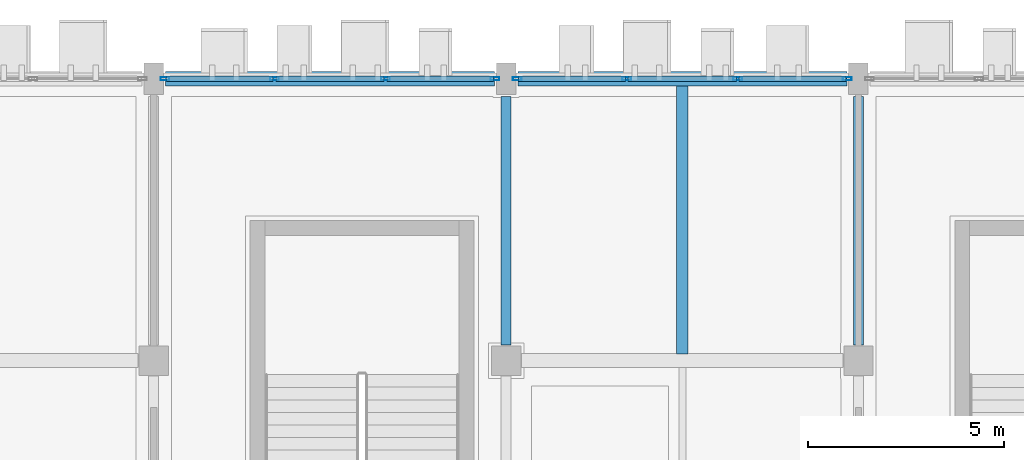
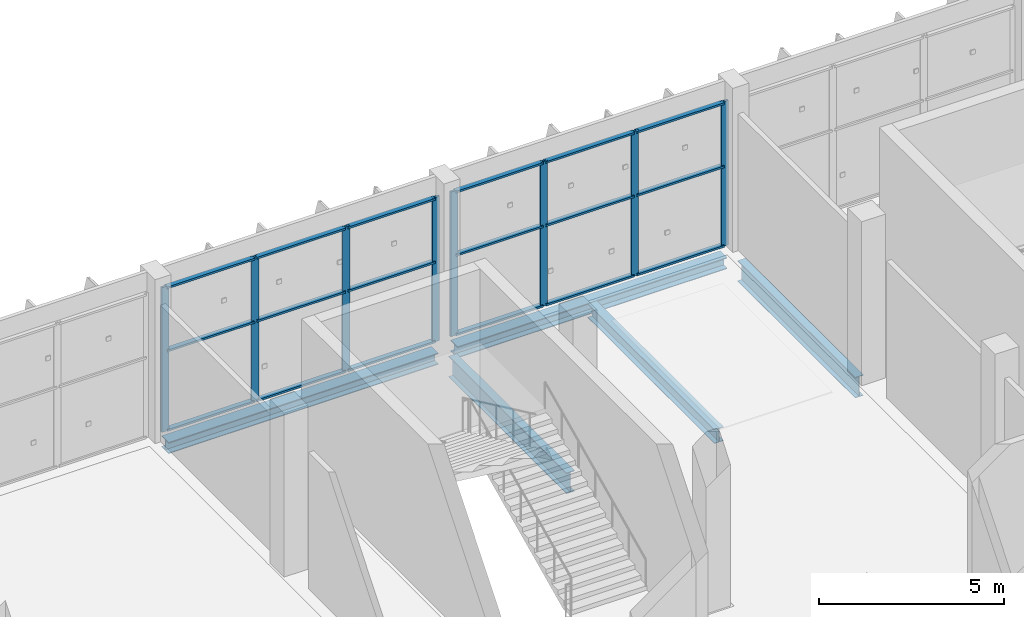
# One storey, part 97 of 189: 26 members, 5 beams, 2 elements without a shape of their own.
"""IFC4 building model written with IfcOpenShell, lengths in metres."""

from ifc_helpers import new_model, si_unit, direction, frame, origin, origin_2d, place, context, subcontext, project, spatial, hollow_rectangle, i_section, extrude, material, layer, layer_set, material_profile, profile_set, type_object, element, aggregate, save


model = new_model("IFC4")

# Units and contexts
model_context = context("Model", 3, precision=1e-05, world=origin(), true_north=direction((0.0, 1.0)))
body_context = subcontext(model_context, "Body", "Model", "MODEL_VIEW")
ifc_project = project(units=[si_unit("LENGTHUNIT", "METRE"), si_unit("AREAUNIT", "SQUARE_METRE"), si_unit("VOLUMEUNIT", "CUBIC_METRE"), si_unit("PLANEANGLEUNIT", "RADIAN"), si_unit("MASSUNIT", "GRAM", prefix="KILO")], contexts=[model_context])

# Site, building, storey
site_placement = place(None, origin())
site = spatial("IfcSite", under=ifc_project, at=site_placement, CompositionType="ELEMENT")
building_placement = place(site_placement, origin())
building = spatial("IfcBuilding", under=site, at=building_placement, Name="Celestram Park Convention Centre", CompositionType="ELEMENT")
storey_placement = place(building_placement, frame((0.0, 0.0, 5.39990234375)))
storey = spatial("IfcBuildingStorey", under=building, at=storey_placement, Name="L01", CompositionType="ELEMENT", Elevation=5.39990234375)

# Curtain wall, members
ifc_material_1 = material(Name="Anodised Aluminium Alloy 6063-T6", Category="aluminium")
ifc_layer = layer(ifc_material_1, 0.179931640625)
ifc_layer_set = layer_set([ifc_layer], Name="Anodised Aluminium Alloy 6063-T6")
curtain_wall_type = type_object("IfcCurtainWallType", Name="ARC-CW-850X476", PredefinedType="NOTDEFINED", material=ifc_layer_set)
curtain_wall_1_placement = place(storey_placement, origin())
curtain_wall_1 = element("IfcCurtainWall", 1, at=curtain_wall_1_placement, inside=storey, type_object=curtain_wall_type, Name="Unitised curtain wall CU-L01-058", PredefinedType="NOTDEFINED")
ifc_material_profile_1 = material_profile(ifc_material_1, hollow_rectangle(XDim=0.074951171875, YDim=0.219970703125, WallThickness=0.00390625, at=origin_2d()), Name="ALU75X220X4")
ifc_profile_set_1 = profile_set([ifc_material_profile_1], Name="Anodised Aluminium Alloy 6063-T6")
member_type_1 = type_object("IfcMemberType", Name="ARC-CWM-180", PredefinedType="MULLION", material=ifc_profile_set_1)
member_1_placement = place(storey_placement, frame((63.285400390625, 165.60009765625, 0.0), z_axis=(0.0, 0.0, 1.0), x_axis=(0.0, 1.0, 0.0)))
member_1 = element("IfcMember", 2, at=member_1_placement, type_object=member_type_1, Name="CW-85X47 mullion 1", PredefinedType="MULLION", context=body_context, shape_type="SweptSolid", body=[
    extrude(hollow_rectangle(XDim=0.074951171875, YDim=0.219970703125, WallThickness=0.00390625, at=origin_2d()), origin(), (0.0, 0.0, 1.0), 4.76416015625),
])
member_2_placement = place(storey_placement, frame((66.082763671875, 165.60009765625, 0.0), z_axis=(0.0, 0.0, 1.0), x_axis=(0.0, 1.0, 0.0)))
member_2 = element("IfcMember", 3, at=member_2_placement, type_object=member_type_1, Name="CW-85X47 mullion 2", PredefinedType="MULLION", context=body_context, shape_type="SweptSolid", body=[
    extrude(hollow_rectangle(XDim=0.074951171875, YDim=0.219970703125, WallThickness=0.00390625, at=origin_2d()), origin(), (0.0, 0.0, 1.0), 4.76416015625),
])
member_3_placement = place(storey_placement, frame((68.917236328125, 165.60009765625, 0.0), z_axis=(0.0, 0.0, 1.0), x_axis=(0.0, 1.0, 0.0)))
member_3 = element("IfcMember", 4, at=member_3_placement, type_object=member_type_1, Name="CW-85X47 mullion 3", PredefinedType="MULLION", context=body_context, shape_type="SweptSolid", body=[
    extrude(hollow_rectangle(XDim=0.074951171875, YDim=0.219970703125, WallThickness=0.00390625, at=origin_2d()), origin(), (0.0, 0.0, 1.0), 4.76416015625),
])
member_4_placement = place(storey_placement, frame((71.714599609375, 165.60009765625, 0.0), z_axis=(0.0, 0.0, 1.0), x_axis=(0.0, 1.0, 0.0)))
member_4 = element("IfcMember", 5, at=member_4_placement, type_object=member_type_1, Name="CW-85X47 mullion 4", PredefinedType="MULLION", context=body_context, shape_type="SweptSolid", body=[
    extrude(hollow_rectangle(XDim=0.074951171875, YDim=0.219970703125, WallThickness=0.00390625, at=origin_2d()), origin(), (0.0, 0.0, 1.0), 4.76416015625),
])

curtain_wall_2_placement = place(storey_placement, origin())
curtain_wall_2 = element("IfcCurtainWall", 6, at=curtain_wall_2_placement, inside=storey, type_object=curtain_wall_type, Name="Unitised curtain wall CU-L01-059", PredefinedType="NOTDEFINED")
member_5_placement = place(storey_placement, frame((72.285400390625, 165.60009765625, 0.0), z_axis=(0.0, 0.0, 1.0), x_axis=(0.0, 1.0, 0.0)))
member_5 = element("IfcMember", 7, at=member_5_placement, type_object=member_type_1, Name="CW-85X47 mullion 1", PredefinedType="MULLION", context=body_context, shape_type="SweptSolid", body=[
    extrude(hollow_rectangle(XDim=0.074951171875, YDim=0.219970703125, WallThickness=0.00390625, at=origin_2d()), origin(), (0.0, 0.0, 1.0), 4.76416015625),
])
member_6_placement = place(storey_placement, frame((75.082763671875, 165.60009765625, 0.0), z_axis=(0.0, 0.0, 1.0), x_axis=(0.0, 1.0, 0.0)))
member_6 = element("IfcMember", 8, at=member_6_placement, type_object=member_type_1, Name="CW-85X47 mullion 2", PredefinedType="MULLION", context=body_context, shape_type="SweptSolid", body=[
    extrude(hollow_rectangle(XDim=0.074951171875, YDim=0.219970703125, WallThickness=0.00390625, at=origin_2d()), origin(), (0.0, 0.0, 1.0), 4.76416015625),
])
member_7_placement = place(storey_placement, frame((77.917236328125, 165.60009765625, 0.0), z_axis=(0.0, 0.0, 1.0), x_axis=(0.0, 1.0, 0.0)))
member_7 = element("IfcMember", 9, at=member_7_placement, type_object=member_type_1, Name="CW-85X47 mullion 3", PredefinedType="MULLION", context=body_context, shape_type="SweptSolid", body=[
    extrude(hollow_rectangle(XDim=0.074951171875, YDim=0.219970703125, WallThickness=0.00390625, at=origin_2d()), origin(), (0.0, 0.0, 1.0), 4.76416015625),
])
member_8_placement = place(storey_placement, frame((80.714599609375, 165.60009765625, 0.0), z_axis=(0.0, 0.0, 1.0), x_axis=(0.0, 1.0, 0.0)))
member_8 = element("IfcMember", 10, at=member_8_placement, type_object=member_type_1, Name="CW-85X47 mullion 4", PredefinedType="MULLION", context=body_context, shape_type="SweptSolid", body=[
    extrude(hollow_rectangle(XDim=0.074951171875, YDim=0.219970703125, WallThickness=0.00390625, at=origin_2d()), origin(), (0.0, 0.0, 1.0), 4.76416015625),
])

# Member
ifc_material_profile_2 = material_profile(ifc_material_1, hollow_rectangle(XDim=0.14990234375, YDim=0.06494140625, WallThickness=0.0029296875, at=origin_2d()), Name="ALU150X65X3")
ifc_profile_set_2 = profile_set([ifc_material_profile_2], Name="Anodised Aluminium Alloy 6063-T6")
member_type_2 = type_object("IfcMemberType", Name="ARC-CWT-150", PredefinedType="USERDEFINED", material=ifc_profile_set_2)
member_9_placement = place(storey_placement, frame((63.322998046875, 165.60009765625, 0.03271484375), z_axis=(1.0, 0.0, 0.0), x_axis=(0.0, 1.0, 0.0)))
member_9 = element("IfcMember", 11, at=member_9_placement, type_object=member_type_2, Name="CW-85X47 transom 1.1", ObjectType="TRANSOM", PredefinedType="USERDEFINED", context=body_context, shape_type="SweptSolid", body=[
    extrude(hollow_rectangle(XDim=0.14990234375, YDim=0.06494140625, WallThickness=0.0029296875, at=origin_2d()), origin(), (0.0, 0.0, 1.0), 2.72216796875),
])

member_10_placement = place(storey_placement, frame((63.322998046875, 165.60009765625, 2.650146484375), z_axis=(1.0, 0.0, 0.0), x_axis=(0.0, 1.0, 0.0)))
member_10 = element("IfcMember", 12, at=member_10_placement, type_object=member_type_2, Name="CW-85X47 transom 1.2", ObjectType="TRANSOM", PredefinedType="USERDEFINED", context=body_context, shape_type="SweptSolid", body=[
    extrude(hollow_rectangle(XDim=0.14990234375, YDim=0.06494140625, WallThickness=0.0029296875, at=origin_2d()), origin(), (0.0, 0.0, 1.0), 2.72216796875),
])

member_11_placement = place(storey_placement, frame((63.322998046875, 165.60009765625, 4.731689453125), z_axis=(1.0, 0.0, 0.0), x_axis=(0.0, 1.0, 0.0)))
member_11 = element("IfcMember", 13, at=member_11_placement, type_object=member_type_2, Name="CW-85X47 transom 1.3", ObjectType="TRANSOM", PredefinedType="USERDEFINED", context=body_context, shape_type="SweptSolid", body=[
    extrude(hollow_rectangle(XDim=0.14990234375, YDim=0.06494140625, WallThickness=0.0029296875, at=origin_2d()), origin(), (0.0, 0.0, 1.0), 2.72216796875),
])

member_12_placement = place(storey_placement, frame((66.1201171875, 165.60009765625, 0.03271484375), z_axis=(1.0, 0.0, 0.0), x_axis=(0.0, 1.0, 0.0)))
member_12 = element("IfcMember", 14, at=member_12_placement, type_object=member_type_2, Name="CW-85X47 transom 2.1", ObjectType="TRANSOM", PredefinedType="USERDEFINED", context=body_context, shape_type="SweptSolid", body=[
    extrude(hollow_rectangle(XDim=0.14990234375, YDim=0.06494140625, WallThickness=0.0029296875, at=origin_2d()), origin(), (0.0, 0.0, 1.0), 2.759765625),
])

member_13_placement = place(storey_placement, frame((66.1201171875, 165.60009765625, 2.650146484375), z_axis=(1.0, 0.0, 0.0), x_axis=(0.0, 1.0, 0.0)))
member_13 = element("IfcMember", 15, at=member_13_placement, type_object=member_type_2, Name="CW-85X47 transom 2.2", ObjectType="TRANSOM", PredefinedType="USERDEFINED", context=body_context, shape_type="SweptSolid", body=[
    extrude(hollow_rectangle(XDim=0.14990234375, YDim=0.06494140625, WallThickness=0.0029296875, at=origin_2d()), origin(), (0.0, 0.0, 1.0), 2.759765625),
])

member_14_placement = place(storey_placement, frame((66.1201171875, 165.60009765625, 4.731689453125), z_axis=(1.0, 0.0, 0.0), x_axis=(0.0, 1.0, 0.0)))
member_14 = element("IfcMember", 16, at=member_14_placement, type_object=member_type_2, Name="CW-85X47 transom 2.3", ObjectType="TRANSOM", PredefinedType="USERDEFINED", context=body_context, shape_type="SweptSolid", body=[
    extrude(hollow_rectangle(XDim=0.14990234375, YDim=0.06494140625, WallThickness=0.0029296875, at=origin_2d()), origin(), (0.0, 0.0, 1.0), 2.759765625),
])

member_15_placement = place(storey_placement, frame((68.954833984375, 165.60009765625, 0.03271484375), z_axis=(1.0, 0.0, 0.0), x_axis=(0.0, 1.0, 0.0)))
member_15 = element("IfcMember", 17, at=member_15_placement, type_object=member_type_2, Name="CW-85X47 transom 3.1", ObjectType="TRANSOM", PredefinedType="USERDEFINED", context=body_context, shape_type="SweptSolid", body=[
    extrude(hollow_rectangle(XDim=0.14990234375, YDim=0.06494140625, WallThickness=0.0029296875, at=origin_2d()), origin(), (0.0, 0.0, 1.0), 2.72216796875),
])

member_16_placement = place(storey_placement, frame((68.954833984375, 165.60009765625, 2.650146484375), z_axis=(1.0, 0.0, 0.0), x_axis=(0.0, 1.0, 0.0)))
member_16 = element("IfcMember", 18, at=member_16_placement, type_object=member_type_2, Name="CW-85X47 transom 3.2", ObjectType="TRANSOM", PredefinedType="USERDEFINED", context=body_context, shape_type="SweptSolid", body=[
    extrude(hollow_rectangle(XDim=0.14990234375, YDim=0.06494140625, WallThickness=0.0029296875, at=origin_2d()), origin(), (0.0, 0.0, 1.0), 2.72216796875),
])

member_17_placement = place(storey_placement, frame((68.954833984375, 165.60009765625, 4.731689453125), z_axis=(1.0, 0.0, 0.0), x_axis=(0.0, 1.0, 0.0)))
member_17 = element("IfcMember", 19, at=member_17_placement, type_object=member_type_2, Name="CW-85X47 transom 3.3", ObjectType="TRANSOM", PredefinedType="USERDEFINED", context=body_context, shape_type="SweptSolid", body=[
    extrude(hollow_rectangle(XDim=0.14990234375, YDim=0.06494140625, WallThickness=0.0029296875, at=origin_2d()), origin(), (0.0, 0.0, 1.0), 2.72216796875),
])

aggregate(curtain_wall_1, [member_1, member_2, member_3, member_4, member_9, member_10, member_11, member_12, member_13, member_14, member_15, member_16, member_17])

member_18_placement = place(storey_placement, frame((72.322998046875, 165.60009765625, 0.03271484375), z_axis=(1.0, 0.0, 0.0), x_axis=(0.0, 1.0, 0.0)))
member_18 = element("IfcMember", 20, at=member_18_placement, type_object=member_type_2, Name="CW-85X47 transom 1.1", ObjectType="TRANSOM", PredefinedType="USERDEFINED", context=body_context, shape_type="SweptSolid", body=[
    extrude(hollow_rectangle(XDim=0.14990234375, YDim=0.06494140625, WallThickness=0.0029296875, at=origin_2d()), origin(), (0.0, 0.0, 1.0), 2.72216796875),
])

member_19_placement = place(storey_placement, frame((72.322998046875, 165.60009765625, 2.650146484375), z_axis=(1.0, 0.0, 0.0), x_axis=(0.0, 1.0, 0.0)))
member_19 = element("IfcMember", 21, at=member_19_placement, type_object=member_type_2, Name="CW-85X47 transom 1.2", ObjectType="TRANSOM", PredefinedType="USERDEFINED", context=body_context, shape_type="SweptSolid", body=[
    extrude(hollow_rectangle(XDim=0.14990234375, YDim=0.06494140625, WallThickness=0.0029296875, at=origin_2d()), origin(), (0.0, 0.0, 1.0), 2.72216796875),
])

member_20_placement = place(storey_placement, frame((72.322998046875, 165.60009765625, 4.731689453125), z_axis=(1.0, 0.0, 0.0), x_axis=(0.0, 1.0, 0.0)))
member_20 = element("IfcMember", 22, at=member_20_placement, type_object=member_type_2, Name="CW-85X47 transom 1.3", ObjectType="TRANSOM", PredefinedType="USERDEFINED", context=body_context, shape_type="SweptSolid", body=[
    extrude(hollow_rectangle(XDim=0.14990234375, YDim=0.06494140625, WallThickness=0.0029296875, at=origin_2d()), origin(), (0.0, 0.0, 1.0), 2.72216796875),
])

member_21_placement = place(storey_placement, frame((75.1201171875, 165.60009765625, 0.03271484375), z_axis=(1.0, 0.0, 0.0), x_axis=(0.0, 1.0, 0.0)))
member_21 = element("IfcMember", 23, at=member_21_placement, type_object=member_type_2, Name="CW-85X47 transom 2.1", ObjectType="TRANSOM", PredefinedType="USERDEFINED", context=body_context, shape_type="SweptSolid", body=[
    extrude(hollow_rectangle(XDim=0.14990234375, YDim=0.06494140625, WallThickness=0.0029296875, at=origin_2d()), origin(), (0.0, 0.0, 1.0), 2.759765625),
])

member_22_placement = place(storey_placement, frame((75.1201171875, 165.60009765625, 2.650146484375), z_axis=(1.0, 0.0, 0.0), x_axis=(0.0, 1.0, 0.0)))
member_22 = element("IfcMember", 24, at=member_22_placement, type_object=member_type_2, Name="CW-85X47 transom 2.2", ObjectType="TRANSOM", PredefinedType="USERDEFINED", context=body_context, shape_type="SweptSolid", body=[
    extrude(hollow_rectangle(XDim=0.14990234375, YDim=0.06494140625, WallThickness=0.0029296875, at=origin_2d()), origin(), (0.0, 0.0, 1.0), 2.759765625),
])

member_23_placement = place(storey_placement, frame((75.1201171875, 165.60009765625, 4.731689453125), z_axis=(1.0, 0.0, 0.0), x_axis=(0.0, 1.0, 0.0)))
member_23 = element("IfcMember", 25, at=member_23_placement, type_object=member_type_2, Name="CW-85X47 transom 2.3", ObjectType="TRANSOM", PredefinedType="USERDEFINED", context=body_context, shape_type="SweptSolid", body=[
    extrude(hollow_rectangle(XDim=0.14990234375, YDim=0.06494140625, WallThickness=0.0029296875, at=origin_2d()), origin(), (0.0, 0.0, 1.0), 2.759765625),
])

member_24_placement = place(storey_placement, frame((77.954833984375, 165.60009765625, 0.03271484375), z_axis=(1.0, 0.0, 0.0), x_axis=(0.0, 1.0, 0.0)))
member_24 = element("IfcMember", 26, at=member_24_placement, type_object=member_type_2, Name="CW-85X47 transom 3.1", ObjectType="TRANSOM", PredefinedType="USERDEFINED", context=body_context, shape_type="SweptSolid", body=[
    extrude(hollow_rectangle(XDim=0.14990234375, YDim=0.06494140625, WallThickness=0.0029296875, at=origin_2d()), origin(), (0.0, 0.0, 1.0), 2.72216796875),
])

member_25_placement = place(storey_placement, frame((77.954833984375, 165.60009765625, 2.650146484375), z_axis=(1.0, 0.0, 0.0), x_axis=(0.0, 1.0, 0.0)))
member_25 = element("IfcMember", 27, at=member_25_placement, type_object=member_type_2, Name="CW-85X47 transom 3.2", ObjectType="TRANSOM", PredefinedType="USERDEFINED", context=body_context, shape_type="SweptSolid", body=[
    extrude(hollow_rectangle(XDim=0.14990234375, YDim=0.06494140625, WallThickness=0.0029296875, at=origin_2d()), origin(), (0.0, 0.0, 1.0), 2.72216796875),
])

member_26_placement = place(storey_placement, frame((77.954833984375, 165.60009765625, 4.731689453125), z_axis=(1.0, 0.0, 0.0), x_axis=(0.0, 1.0, 0.0)))
member_26 = element("IfcMember", 28, at=member_26_placement, type_object=member_type_2, Name="CW-85X47 transom 3.3", ObjectType="TRANSOM", PredefinedType="USERDEFINED", context=body_context, shape_type="SweptSolid", body=[
    extrude(hollow_rectangle(XDim=0.14990234375, YDim=0.06494140625, WallThickness=0.0029296875, at=origin_2d()), origin(), (0.0, 0.0, 1.0), 2.72216796875),
])

aggregate(curtain_wall_2, [member_5, member_6, member_7, member_8, member_18, member_19, member_20, member_21, member_22, member_23, member_24, member_25, member_26])

# Beams
ifc_material_2 = material(Name="Steel ASTM A992 Grade 50", Category="steel")
ifc_material_profile_3 = material_profile(ifc_material_2, i_section(OverallWidth=0.25390625, OverallDepth=0.68310546875, WebThickness=0.012451171875, FlangeThickness=0.01904296875, at=origin_2d()), Name="W27X94")
ifc_profile_set_3 = profile_set([ifc_material_profile_3], Name="Steel ASTM A992 Grade 50")
beam_type_1 = type_object("IfcBeamType", Name="STR-BM-W27X94", PredefinedType="BEAM", material=ifc_profile_set_3)
for number, where, z_axis, x_axis, name in (
    (29, (72.0, 158.798095703125, -0.621337890625), (0.0, 1.0, 0.0), (-1.0, 0.0, 0.0), "Primary Y-girder BG-L01-0139"),
    (30, (81.0, 158.798095703125, -0.621337890625), (0.0, 1.0, 0.0), (-1.0, 0.0, 0.0), "Primary Y-girder BG-L01-0161"),
):
    element("IfcBeam", number, at=place(storey_placement, frame(where, z_axis=z_axis, x_axis=x_axis)), inside=storey, type_object=beam_type_1, Name=name, PredefinedType="BEAM", context=body_context, shape_type="SweptSolid", body=[
        extrude(i_section(OverallWidth=0.25390625, OverallDepth=0.68310546875, WebThickness=0.012451171875, FlangeThickness=0.01904296875, at=origin_2d()), origin(), (0.0, 0.0, 1.0), 6.35400390625),
    ])
ifc_material_profile_4 = material_profile(ifc_material_2, i_section(OverallWidth=0.281982421875, OverallDepth=0.467041015625, WebThickness=0.01220703125, FlangeThickness=0.01953125, at=origin_2d()), Name="W18X86")
ifc_profile_set_4 = profile_set([ifc_material_profile_4], Name="Steel ASTM A992 Grade 50")
beam_type_2 = type_object("IfcBeamType", Name="STR-JST-W18X86", PredefinedType="JOIST", material=ifc_profile_set_4)
beam_placement = place(storey_placement, frame((76.5, 158.573974609375, -0.513427734375), z_axis=(0.0, 1.0, 0.0), x_axis=(-1.0, 0.0, 0.0)))
element("IfcBeam", 31, at=beam_placement, inside=storey, type_object=beam_type_2, Name="Secondary composite joist BG-L01-0596", PredefinedType="JOIST", context=body_context, shape_type="SweptSolid", body=[
    extrude(i_section(OverallWidth=0.281982421875, OverallDepth=0.467041015625, WebThickness=0.01220703125, FlangeThickness=0.01953125, at=origin_2d()), origin(), (0.0, 0.0, 1.0), 6.843994140625),
])
ifc_material_profile_5 = material_profile(ifc_material_2, i_section(OverallWidth=0.373046875, OverallDepth=0.373046875, WebThickness=0.016357421875, FlangeThickness=0.026123046875, at=origin_2d()), Name="W14X132")
ifc_profile_set_5 = profile_set([ifc_material_profile_5], Name="Steel ASTM A992 Grade 50")
beam_type_3 = type_object("IfcBeamType", Name="STR-SPN-W14X132", PredefinedType="SPANDREL", material=ifc_profile_set_5)
for number, where, z_axis, x_axis, name in (
    (32, (63.298095703125, 165.60009765625, -0.46630859375), (1.0, 0.0, 0.0), (0.0, 1.0, 0.0), "Primary X-girder BG-L01-0119"),
    (33, (72.298095703125, 165.60009765625, -0.46630859375), (1.0, 0.0, 0.0), (0.0, 1.0, 0.0), "Primary X-girder BG-L01-0140"),
):
    element("IfcBeam", number, at=place(storey_placement, frame(where, z_axis=z_axis, x_axis=x_axis)), inside=storey, type_object=beam_type_3, Name=name, PredefinedType="SPANDREL", context=body_context, shape_type="SweptSolid", body=[
        extrude(i_section(OverallWidth=0.373046875, OverallDepth=0.373046875, WebThickness=0.016357421875, FlangeThickness=0.026123046875, at=origin_2d()), origin(), (0.0, 0.0, 1.0), 8.40380859375),
    ])

save(model, "model.ifc")
